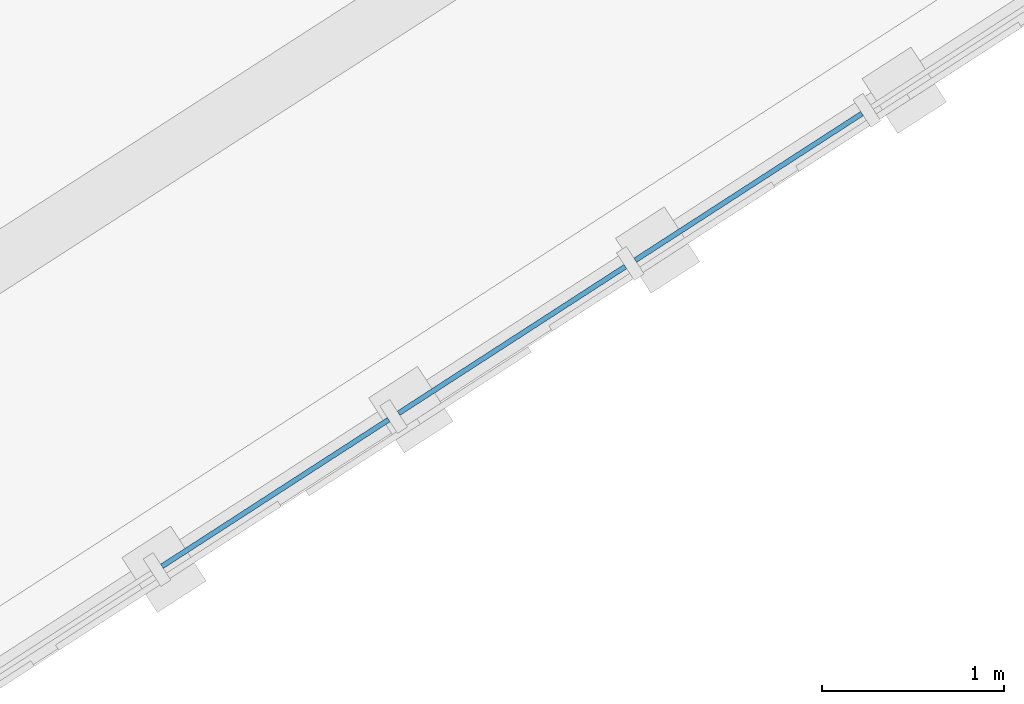
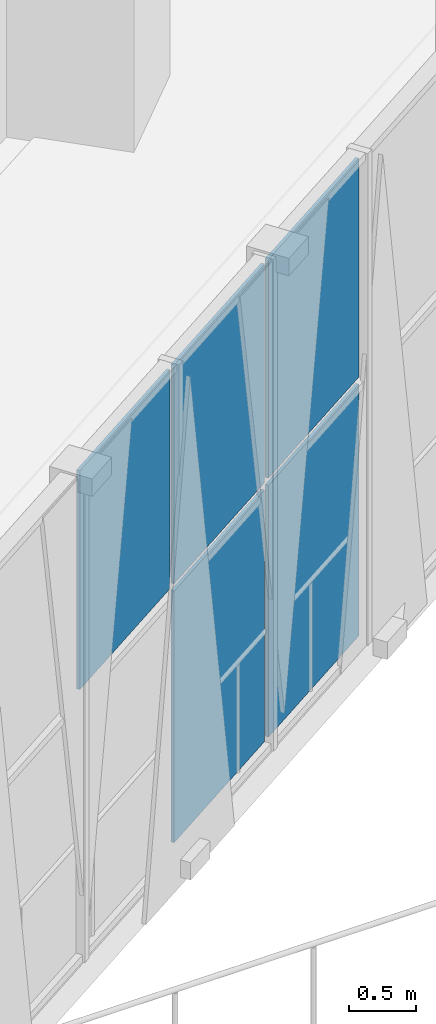
# One storey, part 83 of 179: 5 plates, 1 element without a shape of its own.
"""IFC4 building model written with IfcOpenShell, lengths in metres."""

from ifc_helpers import new_model, si_unit, direction, frame, origin, origin_2d, place, context, subcontext, project, spatial, rectangle, extrude, material, layer, layer_set, type_object, element, aggregate, save


model = new_model("IFC4")

# Units and contexts
model_context = context("Model", 3, precision=1e-05, world=origin(), true_north=direction((0.0, 1.0)))
body_context = subcontext(model_context, "Body", "Model", "MODEL_VIEW")
ifc_project = project(units=[si_unit("LENGTHUNIT", "METRE"), si_unit("AREAUNIT", "SQUARE_METRE"), si_unit("VOLUMEUNIT", "CUBIC_METRE"), si_unit("PLANEANGLEUNIT", "RADIAN"), si_unit("MASSUNIT", "GRAM", prefix="KILO")], contexts=[model_context])

# Site, building, storey
site_placement = place(None, origin())
site = spatial("IfcSite", under=ifc_project, at=site_placement, CompositionType="ELEMENT")
building_placement = place(site_placement, origin())
building = spatial("IfcBuilding", under=site, at=building_placement, Name="Zevraka Park Crest Stadium", CompositionType="ELEMENT")
storey_placement = place(building_placement, frame((0.0, 0.0, 10.199951171875)))
storey = spatial("IfcBuildingStorey", under=building, at=storey_placement, Name="L02", CompositionType="ELEMENT", Elevation=10.199951171875)

# Curtain wall, plates
ifc_material_1 = material(Name="Anodised architectural aluminium and laminated safety glass", Category="aluminium")
curtain_wall_type = type_object("IfcCurtainWallType", Name="CW08", PredefinedType="NOTDEFINED", material=ifc_material_1)
curtain_wall_placement = place(storey_placement, origin())
curtain_wall = element("IfcCurtainWall", 1, at=curtain_wall_placement, inside=storey, type_object=curtain_wall_type, Name="Unitised Ring Curtain Wall CW08 L02-20", PredefinedType="NOTDEFINED")
ifc_material_2 = material(Name="Solar-control laminated double glazing", Category="glass")
ifc_layer = layer(ifc_material_2, 0.028076171875)
ifc_layer_set = layer_set([ifc_layer], Name="Solar-control laminated double glazing")
plate_type = type_object("IfcPlateType", Name="CP08", PredefinedType="CURTAIN_PANEL", material=ifc_layer_set)
plate_1_placement = place(storey_placement, frame((170.89892578125, 29.59130859375, 2.4326171875), z_axis=(0.0, 0.0, 1.0), x_axis=(0.839670424967, 0.543096287444, 0.0)))
plate_1 = element("IfcPlate", 2, at=plate_1_placement, type_object=plate_type, Name="CW08 panel 9.2", PredefinedType="CURTAIN_PANEL", context=body_context, shape_type="SweptSolid", body=[
    extrude(rectangle(XDim=1.48681640625, YDim=0.028076171875, at=origin_2d()), origin(), (0.0, 0.0, 1.0), 2.00244140625),
])
plate_2_placement = place(storey_placement, frame((172.201904296875, 30.43408203125, 0.06494140625), z_axis=(0.0, 0.0, 1.0), x_axis=(0.839670424967, 0.543096287444, 0.0)))
plate_2 = element("IfcPlate", 3, at=plate_2_placement, type_object=plate_type, Name="CW08 panel 10.1", PredefinedType="CURTAIN_PANEL", context=body_context, shape_type="SweptSolid", body=[
    extrude(rectangle(XDim=1.48681640625, YDim=0.028076171875, at=origin_2d()), origin(), (0.0, 0.0, 1.0), 2.302490234375),
])
plate_3_placement = place(storey_placement, frame((172.201904296875, 30.43408203125, 2.4326171875), z_axis=(0.0, 0.0, 1.0), x_axis=(0.839670424967, 0.543096287444, 0.0)))
plate_3 = element("IfcPlate", 4, at=plate_3_placement, type_object=plate_type, Name="CW08 panel 10.2", PredefinedType="CURTAIN_PANEL", context=body_context, shape_type="SweptSolid", body=[
    extrude(rectangle(XDim=1.48681640625, YDim=0.028076171875, at=origin_2d()), origin(), (0.0, 0.0, 1.0), 2.00244140625),
])
plate_4_placement = place(storey_placement, frame((173.5048828125, 31.276611328125, 0.06494140625), z_axis=(0.0, 0.0, 1.0), x_axis=(0.839670424967, 0.543096287444, 0.0)))
plate_4 = element("IfcPlate", 5, at=plate_4_placement, type_object=plate_type, Name="CW08 panel 11.1", PredefinedType="CURTAIN_PANEL", context=body_context, shape_type="SweptSolid", body=[
    extrude(rectangle(XDim=1.48681640625, YDim=0.028076171875, at=origin_2d()), origin(), (0.0, 0.0, 1.0), 2.302490234375),
])
plate_5_placement = place(storey_placement, frame((173.5048828125, 31.276611328125, 2.4326171875), z_axis=(0.0, 0.0, 1.0), x_axis=(0.839670424967, 0.543096287444, 0.0)))
plate_5 = element("IfcPlate", 6, at=plate_5_placement, type_object=plate_type, Name="CW08 panel 11.2", PredefinedType="CURTAIN_PANEL", context=body_context, shape_type="SweptSolid", body=[
    extrude(rectangle(XDim=1.48681640625, YDim=0.028076171875, at=origin_2d()), origin(), (0.0, 0.0, 1.0), 2.00244140625),
])
aggregate(curtain_wall, [plate_1, plate_2, plate_3, plate_4, plate_5])

save(model, "model.ifc")
